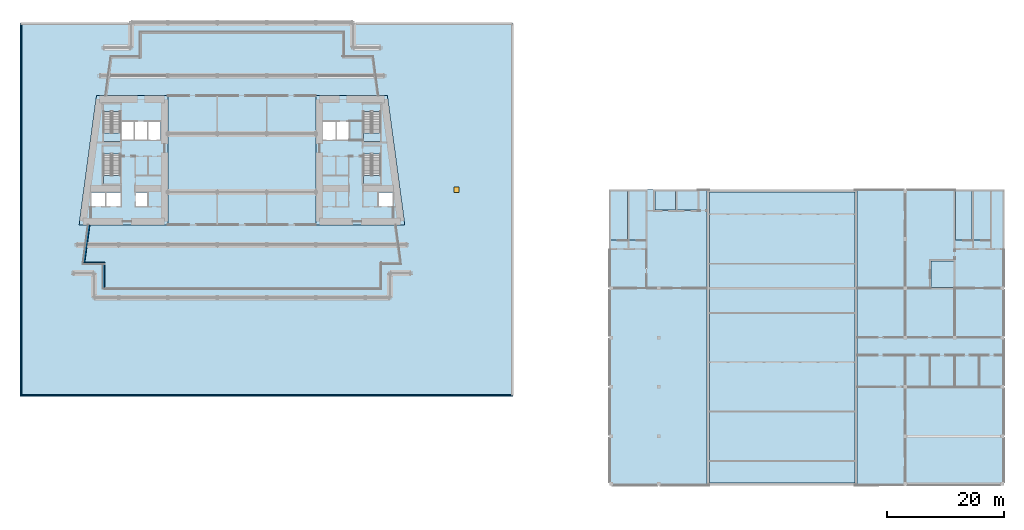
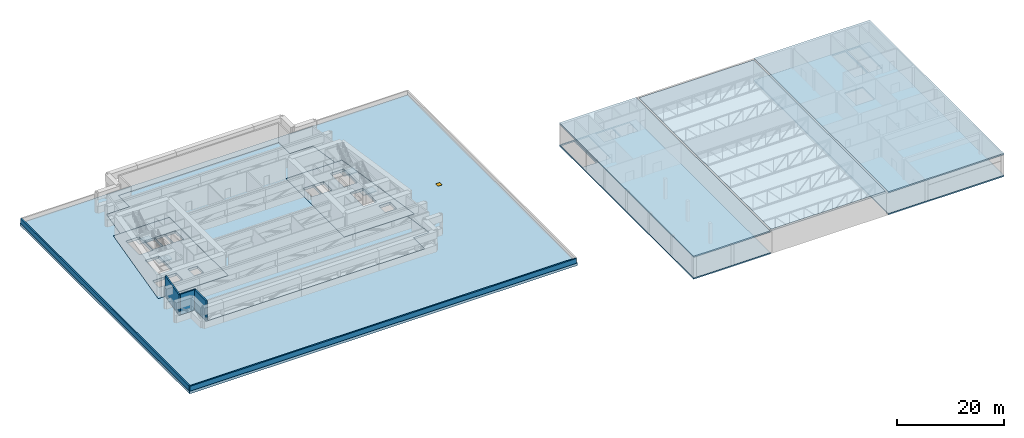
# One storey, part 13 of 26: 13 slabs, 5 walls, 1 window, 1 opening, 4 elements without a shape of their own.
"""IFC4 building model written with IfcOpenShell, lengths in metres."""

from ifc_helpers import new_model, si_unit, direction, frame, frame_2d, origin, origin_2d, place, context, subcontext, project, spatial, polyline, rectangle, outline, extrude, material, layer, layer_set, type_object, element, fill, aggregate, save


model = new_model("IFC4")

# Units and contexts
model_context = context("Model", 3, precision=1e-05, world=origin(), true_north=direction((0.0, 1.0)))
body_context = subcontext(model_context, "Body", "Model", "MODEL_VIEW")
ifc_project = project(units=[si_unit("LENGTHUNIT", "METRE"), si_unit("AREAUNIT", "SQUARE_METRE"), si_unit("VOLUMEUNIT", "CUBIC_METRE"), si_unit("PLANEANGLEUNIT", "RADIAN"), si_unit("MASSUNIT", "GRAM", prefix="KILO")], contexts=[model_context])

# Site, building, storey
site_placement = place(None, origin())
site = spatial("IfcSite", under=ifc_project, at=site_placement, CompositionType="ELEMENT")
building_placement = place(site_placement, origin())
building = spatial("IfcBuilding", under=site, at=building_placement, Name="Candeia Pilgrim Tower and Theatre", CompositionType="ELEMENT")
storey_placement = place(building_placement, frame((0.0, 0.0, 34.0)))
storey = spatial("IfcBuildingStorey", under=building, at=storey_placement, Name="L05", CompositionType="ELEMENT", Elevation=34.0)

# Slabs
ifc_material_1 = material(Name="Steel S355 deck with concrete topping C35/45", Category="concrete")
ifc_layer_1 = layer(ifc_material_1, 0.5)
ifc_layer_set_1 = layer_set([ifc_layer_1], Name="Auditorium roof deck 500")
slab_type_1 = type_object("IfcSlabType", Name="Auditorium roof deck 500", PredefinedType="ROOF", material=ifc_layer_set_1)
slab_1_placement = place(storey_placement, frame((0.0, 0.0, 4.5)))
element("IfcSlab", 1, at=slab_1_placement, inside=storey, type_object=slab_type_1, Name="T-L05-R3", PredefinedType="ROOF", context=body_context, shape_type="SweptSolid", body=[
    extrude(outline(polyline([(193.0, 66.39990234375), (217.800048828125, 66.39990234375), (217.800048828125, 116.0), (193.0, 116.0), (193.0, 66.39990234375)])), origin(), (0.0, 0.0, 1.0), 0.5),
])
ifc_material_2 = material(Name="Concrete C60/75", Category="concrete")
ifc_layer_2 = layer(ifc_material_2, 0.60009765625)
ifc_layer_set_2 = layer_set([ifc_layer_2], Name="FS-CORE 600 core floor")
slab_type_2 = type_object("IfcSlabType", Name="FS-CORE 600 core floor", PredefinedType="FLOOR", material=ifc_layer_set_2)
slab_2_placement = place(storey_placement, frame((0.0, 0.0, -0.60009765625)))
element("IfcSlab", 2, at=slab_2_placement, inside=storey, type_object=slab_type_2, Name="Core floor W L05", PredefinedType="FLOOR", context=body_context, shape_type="SweptSolid", body=[
    extrude(outline(polyline([(100.800048828125, 132.39990234375), (100.800048828125, 110.39990234375), (85.669189453125, 110.39990234375), (88.630859375, 132.39990234375), (100.800048828125, 132.39990234375)]), holes=[polyline([(97.392333984375, 128.050048828125), (97.392333984375, 124.85009765625), (99.550048828125, 124.85009765625), (99.550048828125, 128.050048828125), (97.392333984375, 128.050048828125)]), polyline([(95.277099609375, 115.949951171875), (95.277099609375, 113.550048828125), (97.363525390625, 113.550048828125), (97.363525390625, 115.949951171875), (95.277099609375, 115.949951171875)]), polyline([(95.134765625, 128.050048828125), (95.134765625, 124.85009765625), (97.292236328125, 124.85009765625), (97.292236328125, 128.050048828125), (95.134765625, 128.050048828125)]), polyline([(92.876953125, 128.050048828125), (92.876953125, 124.85009765625), (95.03466796875, 124.85009765625), (95.03466796875, 128.050048828125), (92.876953125, 128.050048828125)]), polyline([(90.279052734375, 115.949951171875), (90.279052734375, 113.550048828125), (92.777099609375, 113.550048828125), (92.777099609375, 115.949951171875), (90.279052734375, 115.949951171875)]), polyline([(89.802001953125, 122.455078125), (89.802001953125, 117.324951171875), (92.701904296875, 117.324951171875), (92.701904296875, 122.455078125), (89.802001953125, 122.455078125)]), polyline([(89.802001953125, 129.705078125), (89.802001953125, 124.574951171875), (92.701904296875, 124.574951171875), (92.701904296875, 129.705078125), (89.802001953125, 129.705078125)]), polyline([(87.680908203125, 115.949951171875), (87.680908203125, 113.550048828125), (90.178955078125, 113.550048828125), (90.178955078125, 115.949951171875), (87.680908203125, 115.949951171875)])]), origin(), (0.0, 0.0, 1.0), 0.60009765625),
])
slab_3_placement = place(storey_placement, frame((0.0, 0.0, -0.60009765625)))
element("IfcSlab", 3, at=slab_3_placement, inside=storey, type_object=slab_type_2, Name="Core floor E L05", PredefinedType="FLOOR", context=body_context, shape_type="SweptSolid", body=[
    extrude(outline(polyline([(138.169189453125, 132.39990234375), (141.130859375, 110.39990234375), (126.0, 110.39990234375), (126.0, 132.39990234375), (138.169189453125, 132.39990234375)]), holes=[polyline([(136.62109375, 115.949951171875), (136.62109375, 113.550048828125), (139.118896484375, 113.550048828125), (139.118896484375, 115.949951171875), (136.62109375, 115.949951171875)]), polyline([(134.097900390625, 117.324951171875), (136.998046875, 117.324951171875), (136.998046875, 122.455078125), (134.097900390625, 122.455078125), (134.097900390625, 117.324951171875)]), polyline([(134.097900390625, 129.705078125), (134.097900390625, 124.574951171875), (136.998046875, 124.574951171875), (136.998046875, 129.705078125), (134.097900390625, 129.705078125)]), polyline([(131.665283203125, 128.050048828125), (129.5078125, 128.050048828125), (129.5078125, 124.85009765625), (131.665283203125, 124.85009765625), (131.665283203125, 128.050048828125)]), polyline([(127.25, 128.050048828125), (127.25, 124.85009765625), (129.40771484375, 124.85009765625), (129.40771484375, 128.050048828125), (127.25, 128.050048828125)])]), origin(), (0.0, 0.0, 1.0), 0.60009765625),
])
ifc_material_3 = material(Name="Concrete C50/60", Category="concrete")
ifc_layer_3 = layer(ifc_material_3, 0.60009765625)
ifc_layer_set_3 = layer_set([ifc_layer_3], Name="Floor slab 600 C50/60")
slab_type_3 = type_object("IfcSlabType", Name="Floor slab 600 C50/60", PredefinedType="FLOOR", material=ifc_layer_set_3)
slab_4_placement = place(storey_placement, frame((0.0, 0.0, -0.60009765625)))
element("IfcSlab", 4, at=slab_4_placement, inside=storey, type_object=slab_type_3, Name="Floor slab L05", PredefinedType="FLOOR", context=body_context, shape_type="SweptSolid", body=[
    extrude(outline(polyline([(96.0, 139.10009765625), (96.0, 143.300048828125), (130.800048828125, 143.300048828125), (130.800048828125, 139.10009765625), (135.753662109375, 139.10009765625), (136.65576171875, 132.39990234375), (126.0, 132.39990234375), (126.0, 110.39990234375), (139.6171875, 110.39990234375), (140.51904296875, 103.699951171875), (137.10009765625, 103.699951171875), (137.10009765625, 99.5), (89.699951171875, 99.5), (89.699951171875, 103.699951171875), (86.28076171875, 103.699951171875), (87.182861328125, 110.39990234375), (100.800048828125, 110.39990234375), (100.800048828125, 132.39990234375), (90.144287109375, 132.39990234375), (91.046142578125, 139.10009765625), (96.0, 139.10009765625)])), origin(), (0.0, 0.0, 1.0), 0.60009765625),
])

# Slab, opening, window
ifc_material_4 = material(Name="Concrete C40/50", Category="concrete")
ifc_layer_4 = layer(ifc_material_4, 0.60009765625)
ifc_layer_set_4 = layer_set([ifc_layer_4], Name="Roof slab 600 C40/50")
slab_type_4 = type_object("IfcSlabType", Name="Roof slab 600 C40/50", PredefinedType="ROOF", material=ifc_layer_set_4)
slab_5_placement = place(storey_placement, frame((0.0, 0.0, -0.60009765625)))
slab_5 = element("IfcSlab", 5, at=slab_5_placement, inside=storey, type_object=slab_type_4, Name="Roof slab T-L05-1", PredefinedType="ROOF", context=body_context, shape_type="SweptSolid", body=[
    extrude(outline(polyline([(75.60009765625, 81.199951171875), (75.60009765625, 144.800048828125), (159.60009765625, 144.800048828125), (159.60009765625, 81.199951171875), (75.60009765625, 81.199951171875)]), holes=[polyline([(90.144287109375, 132.39990234375), (88.630859375, 132.39990234375), (87.35791015625, 122.9453125), (85.669189453125, 110.39990234375), (87.182861328125, 110.39990234375), (86.28076171875, 103.699951171875), (89.699951171875, 103.699951171875), (89.699951171875, 99.5), (137.10009765625, 99.5), (137.10009765625, 103.699951171875), (140.51904296875, 103.699951171875), (139.6171875, 110.39990234375), (141.130859375, 110.39990234375), (139.533935546875, 122.261474609375), (138.169189453125, 132.39990234375), (136.65576171875, 132.39990234375), (135.753662109375, 139.10009765625), (130.800048828125, 139.10009765625), (130.800048828125, 143.300048828125), (96.0, 143.300048828125), (96.0, 139.10009765625), (91.046142578125, 139.10009765625), (90.144287109375, 132.39990234375)])]), origin(), (0.0, 0.0, 1.0), 0.60009765625),
])
opening_placement = place(slab_5_placement, frame((149.963623046875, 116.410888671875, 0.0)))
opening = element("IfcOpeningElement", 6, at=opening_placement, cuts=slab_5, Name="Opening RH1", PredefinedType="OPENING", context=body_context, shape_type="SweptSolid", body=[
    extrude(rectangle(XDim=0.89990234375, YDim=0.89990234375, at=origin_2d()), origin(), (0.0, 0.0, 1.0), 0.60009765625),
])
ifc_material_5 = material(Name="Insulated aluminium hatch", Category="aluminium")
window_type = type_object("IfcWindowType", Name="RH1 roof access hatch 900x900", PartitioningType="SINGLE_PANEL", PredefinedType="SKYLIGHT", material=ifc_material_5)
window_placement = place(opening_placement, frame((0.0, 0.0, 0.550048828125)))
window = element("IfcWindow", 7, at=window_placement, inside=storey, type_object=window_type, Name="Roof access hatch", OverallHeight=0.89990234375, OverallWidth=0.89990234375, PartitioningType="SINGLE_PANEL", PredefinedType="SKYLIGHT", context=body_context, shape_type="SweptSolid", body=[
    extrude(rectangle(XDim=0.89990234375, YDim=0.89990234375, at=origin_2d()), origin(), (0.0, 0.0, 1.0), 0.050048828125),
])
fill(opening, window)

# Stair, slab
stair_type = type_object("IfcStairType", Name="ST-TWR dog-leg escape stair", PredefinedType="HALF_TURN_STAIR", material=ifc_material_4)
stair_1_placement = place(storey_placement, origin())
stair_1 = element("IfcStair", 8, at=stair_1_placement, inside=storey, type_object=stair_type, Name="L05 Escape stair ST1", PredefinedType="HALF_TURN_STAIR")
ifc_layer_5 = layer(ifc_material_4, 0.199951171875)
ifc_layer_set_5 = layer_set([ifc_layer_5], Name="SL-LANDING stair landing")
slab_type_5 = type_object("IfcSlabType", Name="SL-LANDING stair landing", PredefinedType="LANDING", material=ifc_layer_set_5)
slab_6_placement = place(storey_placement, frame((0.0, 0.0, 2.300048828125)))
slab_6 = element("IfcSlab", 9, at=slab_6_placement, type_object=slab_type_5, Name="ST1 landing 1", PredefinedType="LANDING", context=body_context, shape_type="SweptSolid", body=[
    extrude(outline(polyline([(89.802001953125, 118.8349609375), (89.802001953125, 117.324951171875), (92.701904296875, 117.324951171875), (92.701904296875, 118.8349609375), (89.802001953125, 118.8349609375)])), origin(), (0.0, 0.0, 1.0), 0.199951171875),
])
aggregate(stair_1, [slab_6])

stair_2_placement = place(storey_placement, origin())
stair_2 = element("IfcStair", 10, at=stair_2_placement, inside=storey, type_object=stair_type, Name="L05 Escape stair ST2", PredefinedType="HALF_TURN_STAIR")
slab_7_placement = place(storey_placement, frame((0.0, 0.0, 2.300048828125)))
slab_7 = element("IfcSlab", 11, at=slab_7_placement, type_object=slab_type_5, Name="ST2 landing 1", PredefinedType="LANDING", context=body_context, shape_type="SweptSolid", body=[
    extrude(outline(polyline([(89.802001953125, 126.0849609375), (89.802001953125, 124.574951171875), (92.701904296875, 124.574951171875), (92.701904296875, 126.0849609375), (89.802001953125, 126.0849609375)])), origin(), (0.0, 0.0, 1.0), 0.199951171875),
])
aggregate(stair_2, [slab_7])

stair_3_placement = place(storey_placement, origin())
stair_3 = element("IfcStair", 12, at=stair_3_placement, inside=storey, type_object=stair_type, Name="L05 Escape stair ST3", PredefinedType="HALF_TURN_STAIR")
slab_8_placement = place(storey_placement, frame((0.0, 0.0, 2.300048828125)))
slab_8 = element("IfcSlab", 13, at=slab_8_placement, type_object=slab_type_5, Name="ST3 landing 1", PredefinedType="LANDING", context=body_context, shape_type="SweptSolid", body=[
    extrude(outline(polyline([(134.097900390625, 118.8349609375), (134.097900390625, 117.324951171875), (136.998046875, 117.324951171875), (136.998046875, 118.8349609375), (134.097900390625, 118.8349609375)])), origin(), (0.0, 0.0, 1.0), 0.199951171875),
])
aggregate(stair_3, [slab_8])

stair_4_placement = place(storey_placement, origin())
stair_4 = element("IfcStair", 14, at=stair_4_placement, inside=storey, type_object=stair_type, Name="L05 Escape stair ST4", PredefinedType="HALF_TURN_STAIR")
slab_9_placement = place(storey_placement, frame((0.0, 0.0, 2.300048828125)))
slab_9 = element("IfcSlab", 15, at=slab_9_placement, type_object=slab_type_5, Name="ST4 landing 1", PredefinedType="LANDING", context=body_context, shape_type="SweptSolid", body=[
    extrude(outline(polyline([(134.097900390625, 126.0849609375), (134.097900390625, 124.574951171875), (136.998046875, 124.574951171875), (136.998046875, 126.0849609375), (134.097900390625, 126.0849609375)])), origin(), (0.0, 0.0, 1.0), 0.199951171875),
])
aggregate(stair_4, [slab_9])

# Slabs
ifc_material_6 = material(Name="Concrete C35/45", Category="concrete")
ifc_layer_6 = layer(ifc_material_6, 0.300048828125)
ifc_layer_set_6 = layer_set([ifc_layer_6], Name="Theatre floor slab 300")
slab_type_6 = type_object("IfcSlabType", Name="Theatre floor slab 300", PredefinedType="FLOOR", material=ifc_layer_set_6)
slab_10_placement = place(storey_placement, frame((0.0, 0.0, -0.300048828125)))
element("IfcSlab", 16, at=slab_10_placement, inside=storey, type_object=slab_type_6, Name="T-L05-F1", PredefinedType="FLOOR", context=body_context, shape_type="SweptSolid", body=[
    extrude(outline(polyline([(192.60009765625, 66.0), (176.0, 66.0), (176.0, 116.39990234375), (192.60009765625, 116.39990234375), (192.60009765625, 66.0)]), holes=[polyline([(179.10009765625, 116.14990234375), (176.125, 116.14990234375), (176.125, 107.794921875), (179.10009765625, 107.794921875), (179.10009765625, 116.14990234375)]), polyline([(182.199951171875, 107.794921875), (182.199951171875, 116.14990234375), (179.35009765625, 116.14990234375), (179.35009765625, 107.794921875), (182.199951171875, 107.794921875)]), polyline([(183.72509765625, 112.925048828125), (187.27490234375, 112.925048828125), (187.27490234375, 116.27490234375), (183.72509765625, 116.27490234375), (183.72509765625, 112.925048828125)]), polyline([(187.52490234375, 116.27490234375), (187.52490234375, 112.925048828125), (191.074951171875, 112.925048828125), (191.074951171875, 116.27490234375), (187.52490234375, 116.27490234375)])]), origin(), (0.0, 0.0, 1.0), 0.300048828125),
])
slab_11_placement = place(storey_placement, frame((0.0, 0.0, -0.300048828125)))
element("IfcSlab", 17, at=slab_11_placement, inside=storey, type_object=slab_type_6, Name="T-L05-F2", PredefinedType="FLOOR", context=body_context, shape_type="SweptSolid", body=[
    extrude(outline(polyline([(243.199951171875, 66.0), (218.199951171875, 66.0), (218.199951171875, 116.39990234375), (243.199951171875, 116.39990234375), (243.199951171875, 66.0)]), holes=[polyline([(234.925048828125, 107.794921875), (237.77490234375, 107.794921875), (237.77490234375, 116.14990234375), (234.925048828125, 116.14990234375), (234.925048828125, 107.794921875)]), polyline([(238.02490234375, 116.14990234375), (238.02490234375, 107.794921875), (240.875, 107.794921875), (240.875, 116.14990234375), (238.02490234375, 116.14990234375)]), polyline([(234.675048828125, 104.27490234375), (230.72509765625, 104.27490234375), (230.72509765625, 99.72509765625), (234.675048828125, 99.72509765625), (234.675048828125, 104.27490234375)])]), origin(), (0.0, 0.0, 1.0), 0.300048828125),
])
ifc_layer_7 = layer(ifc_material_6, 0.300048828125)
ifc_layer_set_7 = layer_set([ifc_layer_7], Name="Theatre roof slab 300")
slab_type_7 = type_object("IfcSlabType", Name="Theatre roof slab 300", PredefinedType="ROOF", material=ifc_layer_set_7)
slab_12_placement = place(storey_placement, frame((0.0, 0.0, 4.699951171875)))
element("IfcSlab", 18, at=slab_12_placement, inside=storey, type_object=slab_type_7, Name="T-L05-R1", PredefinedType="ROOF", context=body_context, shape_type="SweptSolid", body=[
    extrude(outline(polyline([(192.60009765625, 66.0), (192.60009765625, 116.39990234375), (176.0, 116.39990234375), (176.0, 66.0), (192.60009765625, 66.0)])), origin(), (0.0, 0.0, 1.0), 0.300048828125),
])
slab_13_placement = place(storey_placement, frame((0.0, 0.0, 4.699951171875)))
element("IfcSlab", 19, at=slab_13_placement, inside=storey, type_object=slab_type_7, Name="T-L05-R2", PredefinedType="ROOF", context=body_context, shape_type="SweptSolid", body=[
    extrude(outline(polyline([(243.199951171875, 66.0), (243.199951171875, 116.39990234375), (218.199951171875, 116.39990234375), (218.199951171875, 66.0), (243.199951171875, 66.0)])), origin(), (0.0, 0.0, 1.0), 0.300048828125),
])

# Walls
ifc_material_7 = material(Name="Ceramic block masonry", Category="masonry")
ifc_layer_8 = layer(ifc_material_7, 0.300048828125)
ifc_layer_set_8 = layer_set([ifc_layer_8], Name="EW1 glazing-line wall 300")
wall_type_1 = type_object("IfcWallType", Name="EW1 glazing-line wall 300", PredefinedType="SOLIDWALL", material=ifc_layer_set_8)
wall_1_placement = place(storey_placement, frame((87.334228515625, 110.39990234375, 0.0), z_axis=(0.0, 0.0, 1.0), x_axis=(-0.133437175554, -0.991057273915, 0.0)))
element("IfcWall", 20, at=wall_1_placement, inside=storey, type_object=wall_type_1, Name="External wall L05-9.1", PredefinedType="SOLIDWALL", context=body_context, shape_type="SweptSolid", body=[
    extrude(rectangle(XDim=6.780517578125, YDim=0.300048828125, at=frame_2d((3.39013671875, 0.0))), origin(), (0.0, 0.0, 1.0), 4.679931640625),
])
wall_2_placement = place(storey_placement, frame((86.452392578125, 103.85009765625, 0.0), z_axis=(0.0, 0.0, 1.0), x_axis=(1.0, 0.0, 0.0)))
element("IfcWall", 21, at=wall_2_placement, inside=storey, type_object=wall_type_1, Name="External wall L05-10.0", PredefinedType="SOLIDWALL", context=body_context, shape_type="SweptSolid", body=[
    extrude(rectangle(XDim=3.547607421875, YDim=0.300048828125, at=frame_2d((1.77392578125, 0.0))), origin(), (0.0, 0.0, 1.0), 4.679931640625),
])
wall_3_placement = place(storey_placement, frame((89.85009765625, 103.85009765625, 0.0), z_axis=(0.0, 0.0, 1.0), x_axis=(0.0, -1.0, 0.0)))
element("IfcWall", 22, at=wall_3_placement, inside=storey, type_object=wall_type_1, Name="External wall L05-11.0", PredefinedType="SOLIDWALL", context=body_context, shape_type="SweptSolid", body=[
    extrude(rectangle(XDim=4.35009765625, YDim=0.300048828125, at=frame_2d((2.175048828125, 0.0))), origin(), (0.0, 0.0, 1.0), 4.679931640625),
])
ifc_layer_9 = layer(ifc_material_7, 0.300048828125)
ifc_layer_set_9 = layer_set([ifc_layer_9], Name="PW1 parapet wall 300")
wall_type_2 = type_object("IfcWallType", Name="PW1 parapet wall 300", PredefinedType="PARAPET", material=ifc_layer_set_9)
wall_4_placement = place(storey_placement, frame((159.449951171875, 81.35009765625, 0.0), z_axis=(0.0, 0.0, 1.0), x_axis=(-1.0, 0.0, 0.0)))
element("IfcWall", 23, at=wall_4_placement, inside=storey, type_object=wall_type_2, Name="Roof parapet L05", PredefinedType="PARAPET", context=body_context, shape_type="SweptSolid", body=[
    extrude(rectangle(XDim=83.699951171875, YDim=0.300048828125, at=frame_2d((41.85009765625, 0.0))), origin(), (0.0, 0.0, 1.0), 1.10009765625),
])
wall_5_placement = place(storey_placement, frame((75.75, 81.35009765625, 0.0), z_axis=(0.0, 0.0, 1.0), x_axis=(0.0, 1.0, 0.0)))
element("IfcWall", 24, at=wall_5_placement, inside=storey, type_object=wall_type_2, Name="Roof parapet L05", PredefinedType="PARAPET", context=body_context, shape_type="SweptSolid", body=[
    extrude(rectangle(XDim=63.2998046875, YDim=0.300048828125, at=frame_2d((31.64990234375, 0.0))), origin(), (0.0, 0.0, 1.0), 1.10009765625),
])

save(model, "model.ifc")
